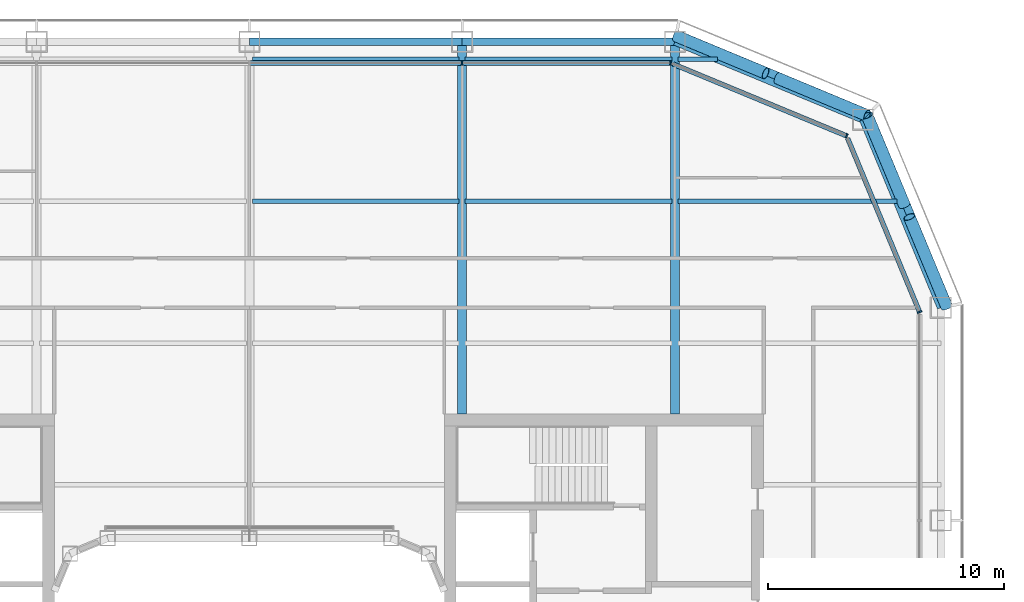
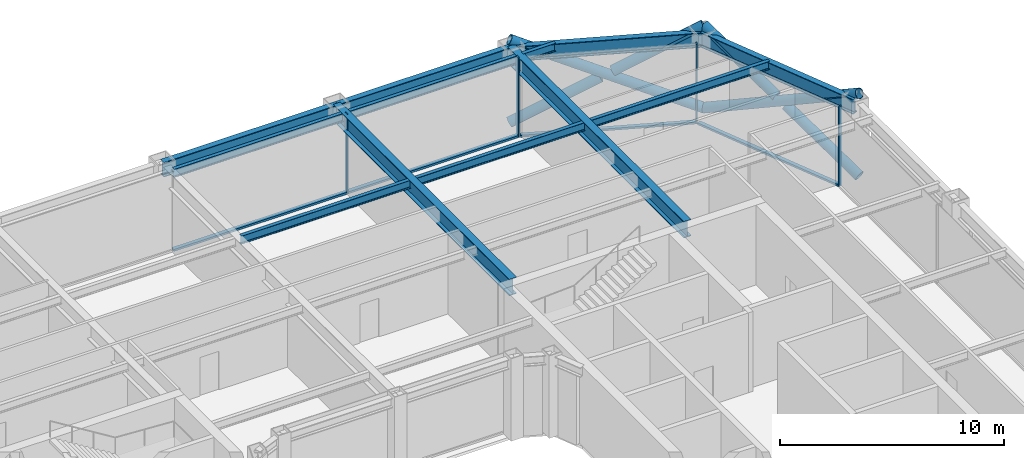
# One storey, part 9 of 23: 14 members, 12 beams, 3 elements without a shape of their own.
"""IFC4 building model written with IfcOpenShell, lengths in metres."""

import ifcopenshell
import ifcopenshell.guid

model = None  # the IFC model being written
_history = None  # IfcOwnerHistory: only IFC2X3 demands one
_inside = {}  # id of a spatial element -> (the spatial element, [elements in it])
_under = {}  # id of a project, library or spatial element -> (it, [spatial elements below it])
_declared = {}  # id of a project -> (the project, [libraries it declares])
_typed = {}  # id of a type object -> (the type object, [elements of that type])
_made_of = {}  # id of a material, layer set ... -> (it, [elements and type objects made of it])


def new_model(schema):
    """Start an empty IFC model of exactly this schema.

    Asked for "IFC4X3", IfcOpenShell would pick the latest addendum, in which some entities
    have other attributes; the version numbers below select the first issue.
    IFC2X3 requires an IfcOwnerHistory on every rooted entity: one is made here for all.
    """
    global model, _history
    if schema == "IFC4X3":
        model = ifcopenshell.file(schema_version=(4, 3, 0, 0))
    else:
        model = ifcopenshell.file(schema=schema)
    _inside.clear()
    _under.clear()
    _declared.clear()
    _typed.clear()
    _made_of.clear()
    _history = None
    if model.schema == "IFC2X3":
        org = make("IfcOrganization", Name="unknown")
        user = make(
            "IfcPersonAndOrganization",
            ThePerson=make("IfcPerson", FamilyName="unknown"),
            TheOrganization=org,
        )
        app = make(
            "IfcApplication",
            ApplicationDeveloper=org,
            Version="unknown",
            ApplicationFullName="unknown",
            ApplicationIdentifier="unknown",
        )
        _history = make(
            "IfcOwnerHistory",
            OwningUser=user,
            OwningApplication=app,
            ChangeAction="ADDED",
            CreationDate=0,
        )
    return model


def make(cls, **values):
    """One entity of the class cls with the attributes given. An attribute that is None is left unset."""
    return model.create_entity(
        cls, **{name: value for name, value in values.items() if value is not None}
    )


def rooted(cls, **values):
    """An entity with a GlobalId (a new one), such as an element, a storey or a relation."""
    return make(cls, GlobalId=ifcopenshell.guid.new(), OwnerHistory=_history, **values)


def si_unit(unit_type, name, prefix=None):
    """IfcSIUnit, for example si_unit("LENGTHUNIT", "METRE", prefix="MILLI")."""
    return make("IfcSIUnit", UnitType=unit_type, Prefix=prefix, Name=name)


def assignment(units):
    """IfcUnitAssignment: the units of a project."""
    return None if units is None else make("IfcUnitAssignment", Units=units)


def point(xyz):
    """IfcCartesianPoint."""
    return None if xyz is None else make("IfcCartesianPoint", Coordinates=xyz)


def direction(xyz):
    """IfcDirection."""
    return None if xyz is None else make("IfcDirection", DirectionRatios=xyz)


def frame(location, z_axis=None, x_axis=None):
    """IfcAxis2Placement3D, a coordinate frame: its origin and axes. An axis left out is left unset."""
    return make(
        "IfcAxis2Placement3D",
        Location=point(location),
        Axis=direction(z_axis),
        RefDirection=direction(x_axis),
    )


def frame_2d(location, x_axis=None):
    """IfcAxis2Placement2D, a coordinate frame in the plane: its origin and x axis."""
    return make(
        "IfcAxis2Placement2D", Location=point(location), RefDirection=direction(x_axis)
    )


def origin():
    """The frame at (0, 0, 0) with its axes left unset."""
    return frame((0.0, 0.0, 0.0))


def origin_2d():
    """The frame at (0, 0) in the plane with its x axis left unset."""
    return frame_2d((0.0, 0.0))


def place(relative_to, where):
    """IfcLocalPlacement: puts the frame where relative to a parent placement (None: the world)."""
    return make(
        "IfcLocalPlacement", PlacementRelTo=relative_to, RelativePlacement=where
    )


def context(
    kind, dimensions, precision=None, world=None, true_north=None, identifier=None
):
    """IfcGeometricRepresentationContext, for example the 3D "Model" context."""
    return make(
        "IfcGeometricRepresentationContext",
        ContextIdentifier=identifier,
        ContextType=kind,
        CoordinateSpaceDimension=dimensions,
        Precision=precision,
        WorldCoordinateSystem=world,
        TrueNorth=true_north,
    )


def subcontext(parent, identifier, kind, view, scale=None):
    """IfcGeometricRepresentationSubContext, for example "Body" below "Model"."""
    return make(
        "IfcGeometricRepresentationSubContext",
        ContextIdentifier=identifier,
        ContextType=kind,
        ParentContext=parent,
        TargetScale=scale,
        TargetView=view,
    )


def project(units=None, contexts=None):
    """IfcProject with its units and contexts."""
    return rooted(
        "IfcProject",
        Name="project",
        RepresentationContexts=contexts,
        UnitsInContext=assignment(units),
    )


def spatial(cls, under=None, at=None, **own):
    """A site, building, storey or space (cls), placed at a placement, below another one or the project."""
    s = rooted(cls, ObjectPlacement=at, **own)
    if under is not None:
        _under.setdefault(under.id(), (under, []))[1].append(s)
    return s


def profile(cls, at=None, kind="AREA", **sizes):
    """A parametric profile (cls). Its sizes go by their IFC names, for example OverallWidth=200.0."""
    return make(cls, ProfileType=kind, Position=at, **sizes)


def rectangle(**sizes):
    """IfcRectangleProfileDef."""
    return profile("IfcRectangleProfileDef", **sizes)


def hollow_circle(**sizes):
    """IfcCircleHollowProfileDef."""
    return profile("IfcCircleHollowProfileDef", **sizes)


def i_section(**sizes):
    """IfcIShapeProfileDef."""
    return profile("IfcIShapeProfileDef", **sizes)


def extrude(swept, where, along, depth):
    """IfcExtrudedAreaSolid: the profile swept, set in the frame where, extruded along a direction by depth."""
    return make(
        "IfcExtrudedAreaSolid",
        SweptArea=swept,
        Position=where,
        ExtrudedDirection=direction(along),
        Depth=depth,
    )


def shape(context_of_items, identifier, shape_type, items):
    """IfcShapeRepresentation: the items that make up one representation, for example the "Body"."""
    return make(
        "IfcShapeRepresentation",
        ContextOfItems=context_of_items,
        RepresentationIdentifier=identifier,
        RepresentationType=shape_type,
        Items=items,
    )


def material(Name=None, Category=None):
    """IfcMaterial."""
    return make("IfcMaterial", Name=Name, Category=Category)


def layer(
    of_material, thickness, ventilated=None, Name=None, Category=None, Priority=None
):
    """IfcMaterialLayer: one layer of a wall or slab, of a material (None: an air gap)."""
    return make(
        "IfcMaterialLayer",
        Material=of_material,
        LayerThickness=thickness,
        IsVentilated=ventilated,
        Name=Name,
        Category=Category,
        Priority=Priority,
    )


def layer_set(layers, Name=None):
    """IfcMaterialLayerSet."""
    return make("IfcMaterialLayerSet", MaterialLayers=layers, LayerSetName=Name)


def material_profile(
    of_material, cross_section, Name=None, Category=None, Priority=None
):
    """IfcMaterialProfile: a cross section and its material."""
    return make(
        "IfcMaterialProfile",
        Name=Name,
        Material=of_material,
        Profile=cross_section,
        Priority=Priority,
        Category=Category,
    )


def profile_set(profiles, Name=None, composite=None):
    """IfcMaterialProfileSet."""
    return make(
        "IfcMaterialProfileSet",
        Name=Name,
        MaterialProfiles=profiles,
        CompositeProfile=composite,
    )


def made_of(thing, what):
    """Note that an element or type object is made of a material, layer set ...; save() writes the relation."""
    if what is not None:
        _made_of.setdefault(what.id(), (what, []))[1].append(thing)
    return thing


def type_object(cls, material=None, **own):
    """A type object (cls), such as IfcWallType, which elements share."""
    return made_of(rooted(cls, **own), material)


def element(
    cls,
    number,
    at=None,
    inside=None,
    cuts=None,
    type_object=None,
    material=None,
    context=None,
    identifier="Body",
    shape_type=None,
    held_by="IfcProductDefinitionShape",
    body=None,
    shapes=None,
    **own,
):
    """One element of the class cls, such as IfcWall. Its Tag is "e" and its number.

    at: its placement. inside: the storey or other place that contains it. cuts: it is an
    opening in that element (IfcRelVoidsElement). A single representation is given by context,
    identifier, shape_type and body (its items); several are given by shapes. held_by: the class
    of the entity that holds the representations. save() writes the other relations.
    """
    e = rooted(cls, Tag="e%d" % number, ObjectPlacement=at, **own)
    if body is not None:
        shapes = [shape(context, identifier, shape_type, body)]
    if shapes is not None:
        e.Representation = make(held_by, Representations=shapes)
    if inside is not None:
        _inside.setdefault(inside.id(), (inside, []))[1].append(e)
    if cuts is not None:
        rooted(
            "IfcRelVoidsElement", RelatingBuildingElement=cuts, RelatedOpeningElement=e
        )
    if type_object is not None:
        _typed.setdefault(type_object.id(), (type_object, []))[1].append(e)
    return made_of(e, material)


def aggregate(whole, parts):
    """IfcRelAggregates: a whole, such as a stair, and the parts it consists of."""
    return rooted("IfcRelAggregates", RelatingObject=whole, RelatedObjects=parts)


def save(model, path):
    """Write the relations noted so far, then the file.

    IfcRelAggregates (storeys below a building ...), IfcRelContainedInSpatialStructure (elements
    in a storey), IfcRelDefinesByType, IfcRelAssociatesMaterial and IfcRelDeclares: one each for
    every whole, place, type object, material and project.
    """
    for whole, parts in _under.values():
        aggregate(whole, parts)
    for where, things in _inside.values():
        rooted(
            "IfcRelContainedInSpatialStructure",
            RelatedElements=things,
            RelatingStructure=where,
        )
    for kind, things in _typed.values():
        rooted("IfcRelDefinesByType", RelatedObjects=things, RelatingType=kind)
    for what, things in _made_of.values():
        rooted("IfcRelAssociatesMaterial", RelatedObjects=things, RelatingMaterial=what)
    for by, libraries in _declared.values():
        rooted("IfcRelDeclares", RelatingContext=by, RelatedDefinitions=libraries)
    model.write(path)


model = new_model("IFC4")

# Units and contexts
model_context = context("Model", 3, precision=1e-05, world=origin(), true_north=direction((0.0, 1.0)))
body_context = subcontext(model_context, "Body", "Model", "MODEL_VIEW")
ifc_project = project(units=[si_unit("LENGTHUNIT", "METRE"), si_unit("AREAUNIT", "SQUARE_METRE"), si_unit("VOLUMEUNIT", "CUBIC_METRE"), si_unit("PLANEANGLEUNIT", "RADIAN"), si_unit("MASSUNIT", "GRAM", prefix="KILO")], contexts=[model_context])

# Site, building, storey
site_placement = place(None, origin())
site = spatial("IfcSite", under=ifc_project, at=site_placement, CompositionType="ELEMENT")
building_placement = place(site_placement, origin())
building = spatial("IfcBuilding", under=site, at=building_placement, Name="Siwar Civic Tower", CompositionType="ELEMENT")
storey_placement = place(building_placement, frame((0.0, 0.0, 163.199951171875)))
storey = spatial("IfcBuildingStorey", under=building, at=storey_placement, Name="L35", CompositionType="ELEMENT", Elevation=163.199951171875)

# Curtain wall, member
ifc_material_1 = material(Name="Aluminium clad insulated panel", Category="aluminium")
ifc_layer_1 = layer(ifc_material_1, 0.199951171875)
ifc_layer_set_1 = layer_set([ifc_layer_1], Name="Aluminium clad insulated panel")
curtain_wall_type_1 = type_object("IfcCurtainWallType", Name="ENV-CW-BX", PredefinedType="NOTDEFINED", material=ifc_layer_set_1)
curtain_wall_1_placement = place(storey_placement, origin())
curtain_wall_1 = element("IfcCurtainWall", 1, at=curtain_wall_1_placement, inside=storey, type_object=curtain_wall_type_1, Name="Curtain wall B NE1", PredefinedType="NOTDEFINED")
ifc_material_2 = material(Name="Aluminium 6063-T6", Category="aluminium")
ifc_material_profile_1 = material_profile(ifc_material_2, rectangle(XDim=0.199951171875, YDim=0.06494140625, at=origin_2d()), Name="AL 200x65")
ifc_profile_set_1 = profile_set([ifc_material_profile_1], Name="Aluminium 6063-T6")
member_type_1 = type_object("IfcMemberType", Name="ENV-MULLION-B", PredefinedType="MULLION", material=ifc_profile_set_1)
member_1_placement = place(storey_placement, frame((28.35009765625, 17.821044921875, 0.0), z_axis=(0.0, 0.0, 1.0), x_axis=(-0.923879532511, -0.382683432365, 0.0)))
member_1 = element("IfcMember", 2, at=member_1_placement, type_object=member_type_1, Name="Mullion B NE1 1", PredefinedType="MULLION", context=body_context, shape_type="SweptSolid", body=[
    extrude(rectangle(XDim=0.199951171875, YDim=0.06494140625, at=origin_2d()), origin(), (0.0, 0.0, 1.0), 4.35009765625),
])

curtain_wall_2_placement = place(storey_placement, origin())
curtain_wall_2 = element("IfcCurtainWall", 3, at=curtain_wall_2_placement, inside=storey, type_object=curtain_wall_type_1, Name="Curtain wall B NE2", PredefinedType="NOTDEFINED")
member_2_placement = place(storey_placement, frame((25.26611328125, 25.26611328125, 0.0), z_axis=(0.0, 0.0, 1.0), x_axis=(-0.382683432365, -0.923879532511, 0.0)))
member_2 = element("IfcMember", 4, at=member_2_placement, type_object=member_type_1, Name="Mullion B NE2 1", PredefinedType="MULLION", context=body_context, shape_type="SweptSolid", body=[
    extrude(rectangle(XDim=0.199951171875, YDim=0.06494140625, at=origin_2d()), origin(), (0.0, 0.0, 1.0), 4.35009765625),
])

# Curtain wall, members
ifc_material_3 = material(Name="Aluminium and glass", Category="aluminium")
ifc_layer_2 = layer(ifc_material_3, 0.199951171875)
ifc_layer_set_2 = layer_set([ifc_layer_2], Name="Aluminium and glass")
curtain_wall_type_2 = type_object("IfcCurtainWallType", Name="ENV-CW-B", PredefinedType="NOTDEFINED", material=ifc_layer_set_2)
curtain_wall_3_placement = place(storey_placement, origin())
curtain_wall_3 = element("IfcCurtainWall", 5, at=curtain_wall_3_placement, inside=storey, type_object=curtain_wall_type_2, Name="Curtain wall B N", PredefinedType="NOTDEFINED")
member_3_placement = place(storey_placement, frame((17.821044921875, 28.35009765625, 0.0), z_axis=(0.0, 0.0, 1.0), x_axis=(0.0, -1.0, 0.0)))
member_3 = element("IfcMember", 6, at=member_3_placement, type_object=member_type_1, Name="Mullion B N 1", PredefinedType="MULLION", context=body_context, shape_type="SweptSolid", body=[
    extrude(rectangle(XDim=0.199951171875, YDim=0.06494140625, at=origin_2d()), origin(), (0.0, 0.0, 1.0), 4.35009765625),
])
member_4_placement = place(storey_placement, frame((9.0, 28.35009765625, 0.0), z_axis=(0.0, 0.0, 1.0), x_axis=(0.0, -1.0, 0.0)))
member_4 = element("IfcMember", 7, at=member_4_placement, type_object=member_type_1, Name="Mullion B N 2", PredefinedType="MULLION", context=body_context, shape_type="SweptSolid", body=[
    extrude(rectangle(XDim=0.199951171875, YDim=0.06494140625, at=origin_2d()), origin(), (0.0, 0.0, 1.0), 4.35009765625),
])

# Member
ifc_material_4 = material(Name="Aluminium 6063-T6", Category="aluminium")
ifc_material_profile_2 = material_profile(ifc_material_4, rectangle(XDim=0.199951171875, YDim=0.110107421875, at=origin_2d()), Name="AL 200x110")
ifc_profile_set_2 = profile_set([ifc_material_profile_2], Name="Aluminium 6063-T6")
member_type_2 = type_object("IfcMemberType", Name="ENV-TRANSOM-B", PredefinedType="USERDEFINED", material=ifc_profile_set_2)
member_5_placement = place(storey_placement, frame((28.337646484375, 17.85107421875, 0.054931640625), z_axis=(-0.382699695651, 0.92387279587, 0.0), x_axis=(-0.92387279587, -0.382699695651, 0.0)))
member_5 = element("IfcMember", 8, at=member_5_placement, type_object=member_type_2, Name="Transom B NE1 1", ObjectType="TRANSOM", PredefinedType="USERDEFINED", context=body_context, shape_type="SweptSolid", body=[
    extrude(rectangle(XDim=0.199951171875, YDim=0.110107421875, at=origin_2d()), origin(), (0.0, 0.0, 1.0), 7.912353515625),
])

aggregate(curtain_wall_1, [member_1, member_5])

member_6_placement = place(storey_placement, frame((25.236083984375, 25.278564453125, 0.054931640625), z_axis=(-0.923883705044, 0.382673358825, 0.0), x_axis=(-0.382673358825, -0.923883705044, 0.0)))
member_6 = element("IfcMember", 9, at=member_6_placement, type_object=member_type_2, Name="Transom B NE2 1", ObjectType="TRANSOM", PredefinedType="USERDEFINED", context=body_context, shape_type="SweptSolid", body=[
    extrude(rectangle(XDim=0.199951171875, YDim=0.110107421875, at=origin_2d()), origin(), (0.0, 0.0, 1.0), 7.912353515625),
])

aggregate(curtain_wall_2, [member_2, member_6])

member_7_placement = place(storey_placement, frame((17.78857421875, 28.35009765625, 0.054931640625), z_axis=(-1.0, 0.0, 0.0), x_axis=(0.0, -1.0, 0.0)))
member_7 = element("IfcMember", 10, at=member_7_placement, type_object=member_type_2, Name="Transom B N 1", ObjectType="TRANSOM", PredefinedType="USERDEFINED", context=body_context, shape_type="SweptSolid", body=[
    extrude(rectangle(XDim=0.199951171875, YDim=0.110107421875, at=origin_2d()), origin(), (0.0, 0.0, 1.0), 8.756103515625),
])

member_8_placement = place(storey_placement, frame((8.967529296875, 28.35009765625, 0.054931640625), z_axis=(-1.0, 0.0, 0.0), x_axis=(0.0, -1.0, 0.0)))
member_8 = element("IfcMember", 11, at=member_8_placement, type_object=member_type_2, Name="Transom B N 2", ObjectType="TRANSOM", PredefinedType="USERDEFINED", context=body_context, shape_type="SweptSolid", body=[
    extrude(rectangle(XDim=0.199951171875, YDim=0.110107421875, at=origin_2d()), origin(), (0.0, 0.0, 1.0), 8.93505859375),
])

aggregate(curtain_wall_3, [member_3, member_4, member_7, member_8])

# Members
ifc_material_5 = material(Name="Steel S355", Category="steel")
ifc_material_profile_3 = material_profile(ifc_material_5, hollow_circle(Radius=0.25390625, WallThickness=0.02490234375, at=origin_2d()), Name="CHS508x25")
ifc_profile_set_3 = profile_set([ifc_material_profile_3], Name="Steel S355")
member_type_3 = type_object("IfcMemberType", Name="STR-BR-CHS508x25", PredefinedType="BRACE", material=ifc_profile_set_3)
member_9_placement = place(storey_placement, frame((26.1318359375, 26.1318359375, 0.0), z_axis=(-0.821142553604, 0.341671493852, 0.457149315816), x_axis=(-0.384163874976, -0.923264922524, 0.0)))
element("IfcMember", 12, at=member_9_placement, inside=storey, type_object=member_type_3, Name="L35/brc/BNE1-14-0-1", PredefinedType="BRACE", context=body_context, shape_type="SweptSolid", body=[
    extrude(hollow_circle(Radius=0.25390625, WallThickness=0.02490234375, at=origin_2d()), origin(), (0.0, 0.0, 1.0), 9.843505859375),
])
for number, where, z_axis, x_axis, name in (
    (13, (18.048828125, 29.4951171875, 0.0), (0.821126041429, -0.341677318012, 0.457174621391), (0.384176042158, 0.923259859753, 0.0), "L35/brc/BNE1-14-0-2"),
    (14, (22.342529296875, 27.70849609375, 2.390625), (0.821163134736, -0.341670737976, 0.457112910516), (0.384154943021, 0.923268638995, 0.0), "L35/brc/BNE1-14-0-3"),
):
    element("IfcMember", number, at=place(storey_placement, frame(where, z_axis=z_axis, x_axis=x_axis)), inside=storey, type_object=member_type_3, Name=name, PredefinedType="BRACE", context=body_context, shape_type="SweptSolid", body=[
        extrude(hollow_circle(Radius=0.25390625, WallThickness=0.02490234375, at=origin_2d()), origin(), (0.0, 0.0, 1.0), 4.614501953125),
    ])
member_10_placement = place(storey_placement, frame((26.1318359375, 26.1318359375, 0.0), z_axis=(0.341671493852, -0.821142553604, 0.457149315816), x_axis=(0.923264922524, 0.384163874976, 0.0)))
element("IfcMember", 15, at=member_10_placement, inside=storey, type_object=member_type_3, Name="L35/brc/BNE1-14-0-0", PredefinedType="BRACE", context=body_context, shape_type="SweptSolid", body=[
    extrude(hollow_circle(Radius=0.25390625, WallThickness=0.02490234375, at=origin_2d()), origin(), (0.0, 0.0, 1.0), 9.843505859375),
])
for number, where, z_axis, x_axis, name in (
    (16, (29.4951171875, 18.048828125, 0.0), (-0.341677318012, 0.821126041429, 0.457174621391), (-0.923259859753, -0.384176042158, 0.0), "L35/brc/BNE1-14-0-4"),
    (17, (27.70849609375, 22.342529296875, 2.390625), (-0.341670737976, 0.821163134736, 0.457112910516), (-0.923268638995, -0.384154943021, 0.0), "L35/brc/BNE1-14-0-5"),
):
    element("IfcMember", number, at=place(storey_placement, frame(where, z_axis=z_axis, x_axis=x_axis)), inside=storey, type_object=member_type_3, Name=name, PredefinedType="BRACE", context=body_context, shape_type="SweptSolid", body=[
        extrude(hollow_circle(Radius=0.25390625, WallThickness=0.02490234375, at=origin_2d()), origin(), (0.0, 0.0, 1.0), 4.614501953125),
    ])

# Beams
ifc_material_6 = material(Name="Steel S355", Category="steel")
ifc_material_profile_4 = material_profile(ifc_material_6, i_section(OverallWidth=0.18994140625, OverallDepth=0.449951171875, WebThickness=0.009521484375, FlangeThickness=0.0146484375, FilletRadius=0.02099609375, at=origin_2d()), Name="IPE450")
ifc_profile_set_4 = profile_set([ifc_material_profile_4], Name="Steel S355")
beam_type_1 = type_object("IfcBeamType", Name="STR-FB-IPE450", PredefinedType="JOIST", material=ifc_profile_set_4)
for number, where, z_axis, x_axis, name in (
    (18, (0.1298828125, 22.5, 4.125), (1.0, 0.0, 0.0), (0.0, 1.0, 0.0), "L35/bm/F040"),
    (19, (9.1298828125, 22.5, 4.125), (1.0, 0.0, 0.0), (0.0, 1.0, 0.0), "L35/bm/F041"),
):
    element("IfcBeam", number, at=place(storey_placement, frame(where, z_axis=z_axis, x_axis=x_axis)), inside=storey, type_object=beam_type_1, Name=name, PredefinedType="JOIST", context=body_context, shape_type="SweptSolid", body=[
        extrude(i_section(OverallWidth=0.18994140625, OverallDepth=0.449951171875, WebThickness=0.009521484375, FlangeThickness=0.0146484375, FilletRadius=0.02099609375, at=origin_2d()), origin(), (0.0, 0.0, 1.0), 8.740234375),
    ])
beam_1_placement = place(storey_placement, frame((18.1298828125, 22.5, 4.125), z_axis=(1.0, 0.0, 0.0), x_axis=(0.0, 1.0, 0.0)))
element("IfcBeam", 20, at=beam_1_placement, inside=storey, type_object=beam_type_1, Name="L35/bm/F042", PredefinedType="JOIST", context=body_context, shape_type="SweptSolid", body=[
    extrude(i_section(OverallWidth=0.18994140625, OverallDepth=0.449951171875, WebThickness=0.009521484375, FlangeThickness=0.0146484375, FilletRadius=0.02099609375, at=origin_2d()), origin(), (0.0, 0.0, 1.0), 9.256103515625),
])
for number, where, z_axis, x_axis, name in (
    (21, (0.1298828125, 28.5, 4.125), (1.0, 0.0, 0.0), (0.0, 1.0, 0.0), "L35/bm/F046"),
    (22, (9.1298828125, 28.5, 4.125), (1.0, 0.0, 0.0), (0.0, 1.0, 0.0), "L35/bm/F047"),
):
    element("IfcBeam", number, at=place(storey_placement, frame(where, z_axis=z_axis, x_axis=x_axis)), inside=storey, type_object=beam_type_1, Name=name, PredefinedType="JOIST", context=body_context, shape_type="SweptSolid", body=[
        extrude(i_section(OverallWidth=0.18994140625, OverallDepth=0.449951171875, WebThickness=0.009521484375, FlangeThickness=0.0146484375, FilletRadius=0.02099609375, at=origin_2d()), origin(), (0.0, 0.0, 1.0), 8.740234375),
    ])
beam_2_placement = place(storey_placement, frame((18.1298828125, 28.5, 4.125), z_axis=(1.0, 0.0, 0.0), x_axis=(0.0, 1.0, 0.0)))
element("IfcBeam", 23, at=beam_2_placement, inside=storey, type_object=beam_type_1, Name="L35/bm/F048", PredefinedType="JOIST", context=body_context, shape_type="SweptSolid", body=[
    extrude(i_section(OverallWidth=0.18994140625, OverallDepth=0.449951171875, WebThickness=0.009521484375, FlangeThickness=0.0146484375, FilletRadius=0.02099609375, at=origin_2d()), origin(), (0.0, 0.0, 1.0), 1.6806640625),
])
ifc_material_7 = material(Name="Steel S355", Category="steel")
ifc_material_profile_5 = material_profile(ifc_material_7, i_section(OverallWidth=0.3798828125, OverallDepth=0.89990234375, WebThickness=0.01611328125, FlangeThickness=0.035888671875, at=origin_2d()), Name="PG900x380x16x36")
ifc_profile_set_5 = profile_set([ifc_material_profile_5], Name="Steel S355")
beam_type_2 = type_object("IfcBeamType", Name="STR-PG-PG900x380x16x36", PredefinedType="BEAM", material=ifc_profile_set_5)
for number, where, z_axis, x_axis, name in (
    (24, (9.0, 13.5, 3.900146484375), (0.0, 1.0, 0.0), (-1.0, 0.0, 0.0), "L35/bm/G08"),
    (25, (18.0, 13.5, 3.900146484375), (0.0, 1.0, 0.0), (-1.0, 0.0, 0.0), "L35/bm/G10"),
):
    element("IfcBeam", number, at=place(storey_placement, frame(where, z_axis=z_axis, x_axis=x_axis)), inside=storey, type_object=beam_type_2, Name=name, PredefinedType="BEAM", context=body_context, shape_type="SweptSolid", body=[
        extrude(i_section(OverallWidth=0.3798828125, OverallDepth=0.89990234375, WebThickness=0.01611328125, FlangeThickness=0.035888671875, at=origin_2d()), origin(), (0.0, 0.0, 1.0), 15.75),
    ])
ifc_material_8 = material(Name="Steel S355", Category="steel")
ifc_material_profile_6 = material_profile(ifc_material_8, i_section(OverallWidth=0.300048828125, OverallDepth=0.800048828125, WebThickness=0.017578125, FlangeThickness=0.032958984375, FilletRadius=0.030029296875, at=origin_2d()), Name="HEB800")
ifc_profile_set_6 = profile_set([ifc_material_profile_6], Name="Steel S355")
beam_type_3 = type_object("IfcBeamType", Name="STR-SB-HEB800", PredefinedType="BEAM", material=ifc_profile_set_6)
for number, where, z_axis, x_axis, name in (
    (26, (29.25, 18.0, 3.949951171875), (-0.382699877515, 0.923872720536, 0.0), (-0.923872720536, -0.382699877515, 0.0), "L35/bm/SNE1-0"),
    (27, (25.954833984375, 25.954833984375, 3.949951171875), (-0.923872720536, 0.382699877515, 0.0), (-0.382699877515, -0.923872720536, 0.0), "L35/bm/SNE2-0"),
):
    element("IfcBeam", number, at=place(storey_placement, frame(where, z_axis=z_axis, x_axis=x_axis)), inside=storey, type_object=beam_type_3, Name=name, PredefinedType="BEAM", context=body_context, shape_type="SweptSolid", body=[
        extrude(i_section(OverallWidth=0.300048828125, OverallDepth=0.800048828125, WebThickness=0.017578125, FlangeThickness=0.032958984375, FilletRadius=0.030029296875, at=origin_2d()), origin(), (0.0, 0.0, 1.0), 8.6103515625),
    ])
for number, where, z_axis, x_axis, name in (
    (28, (18.0, 29.25, 3.949951171875), (-1.0, 0.0, 0.0), (0.0, -1.0, 0.0), "L35/bm/SN-0"),
    (29, (9.0, 29.25, 3.949951171875), (-1.0, 0.0, 0.0), (0.0, -1.0, 0.0), "L35/bm/SN-1"),
):
    element("IfcBeam", number, at=place(storey_placement, frame(where, z_axis=z_axis, x_axis=x_axis)), inside=storey, type_object=beam_type_3, Name=name, PredefinedType="BEAM", context=body_context, shape_type="SweptSolid", body=[
        extrude(i_section(OverallWidth=0.300048828125, OverallDepth=0.800048828125, WebThickness=0.017578125, FlangeThickness=0.032958984375, FilletRadius=0.030029296875, at=origin_2d()), origin(), (0.0, 0.0, 1.0), 9.0),
    ])

save(model, "model.ifc")
